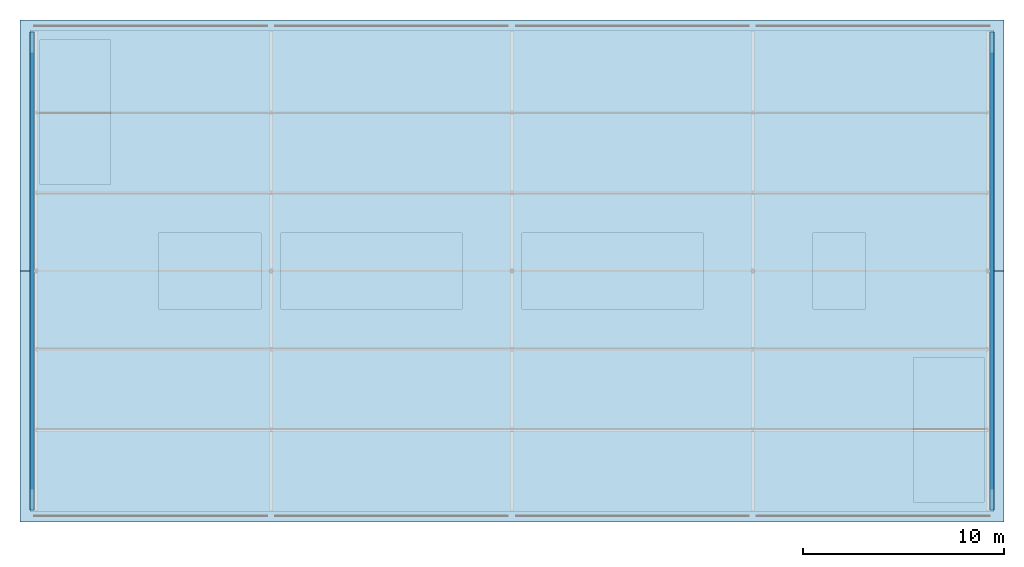
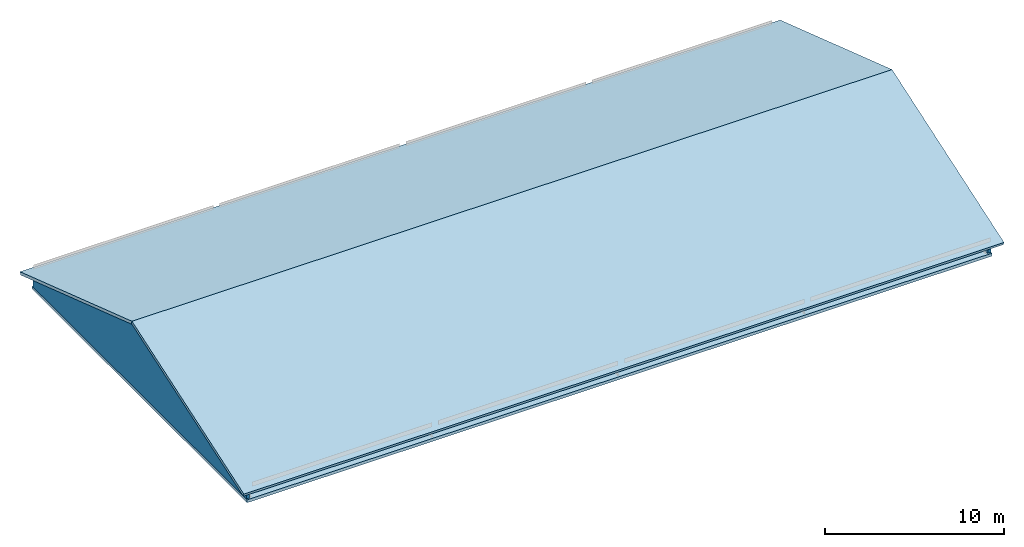
# One storey, part 11 of 12: 3 slabs, 2 walls.
"""IFC4 building model written with IfcOpenShell, lengths in metres."""

from ifc_helpers import new_model, si_unit, direction, frame, origin, place, context, subcontext, project, spatial, polyline, outline, extrude, material, layer, layer_set, type_object, element, save


model = new_model("IFC4")

# Units and contexts
model_context = context("Model", 3, precision=1e-05, world=origin(), true_north=direction((0.0, 1.0)))
body_context = subcontext(model_context, "Body", "Model", "MODEL_VIEW")
ifc_project = project(units=[si_unit("LENGTHUNIT", "METRE"), si_unit("AREAUNIT", "SQUARE_METRE"), si_unit("VOLUMEUNIT", "CUBIC_METRE"), si_unit("PLANEANGLEUNIT", "RADIAN"), si_unit("MASSUNIT", "GRAM", prefix="KILO")], contexts=[model_context])

# Site, building, storey
site_placement = place(None, origin())
site = spatial("IfcSite", under=ifc_project, at=site_placement, CompositionType="ELEMENT")
building_placement = place(site_placement, origin())
building = spatial("IfcBuilding", under=site, at=building_placement, Name="Lilac Gate Convention Centre", CompositionType="ELEMENT")
storey_placement = place(building_placement, frame((0.0, 0.0, 71.39990234375)))
storey = spatial("IfcBuildingStorey", under=building, at=storey_placement, Name="Roof", CompositionType="ELEMENT", Elevation=71.39990234375)

# Slabs
ifc_material_1 = material(Name="Insulated roof panel, steel faces Q235, mineral wool core", Category="steel")
ifc_layer_1 = layer(ifc_material_1, 0.199951171875)
ifc_layer_set_1 = layer_set([ifc_layer_1], Name="Insulated roof panel, steel faces Q235, mineral wool core")
slab_type_1 = type_object("IfcSlabType", Name="Crown roof panel 200", PredefinedType="ROOF", material=ifc_layer_set_1)
slab_1_placement = place(storey_placement, frame((41.5, 221.5, 0.865966796875), z_axis=(0.0, -0.318614987899, 0.947884217342), x_axis=(1.0, 0.0, 0.0)))
element("IfcSlab", 1, at=slab_1_placement, inside=storey, type_object=slab_type_1, Name="Crown roof panel S1", PredefinedType="ROOF", context=body_context, shape_type="SweptSolid", body=[
    extrude(outline(polyline([(0.0, 0.0), (49.0, 0.0), (49.0, 13.187264616614726), (0.0, 13.187264616614726), (0.0, 0.0)])), origin(), (0.0, 0.0, -1.0), 0.199951171875),
])
slab_2_placement = place(storey_placement, frame((41.5, 246.5, 0.865966796875), z_axis=(0.0, 0.318614987899, 0.947884217342), x_axis=(1.0, 0.0, 0.0)))
element("IfcSlab", 2, at=slab_2_placement, inside=storey, type_object=slab_type_1, Name="Crown roof panel N1", PredefinedType="ROOF", context=body_context, shape_type="SweptSolid", body=[
    extrude(outline(polyline([(0.0, 0.0), (49.0, 0.0), (49.0, -13.187264616614726), (0.0, -13.187264616614726), (0.0, 0.0)])), origin(), (0.0, 0.0, -1.0), 0.199951171875),
])
ifc_material_2 = material(Name="Concrete C40", Category="concrete")
ifc_layer_2 = layer(ifc_material_2, 0.199951171875)
ifc_layer_set_2 = layer_set([ifc_layer_2], Name="Concrete C40")
slab_type_2 = type_object("IfcSlabType", Name="Roof slab 200 C40", PredefinedType="ROOF", material=ifc_layer_set_2)
slab_3_placement = place(storey_placement, frame((0.0, 0.0, -0.199951171875)))
element("IfcSlab", 3, at=slab_3_placement, inside=storey, type_object=slab_type_2, Name="RS1 tower roof slab", PredefinedType="ROOF", context=body_context, shape_type="SweptSolid", body=[
    extrude(outline(polyline([(42.0, 222.0), (42.0, 246.0), (90.0, 246.0), (90.0, 222.0), (42.0, 222.0)]), holes=[polyline([(48.39990234375, 235.89990234375), (48.39990234375, 232.10009765625), (50.949951171875, 232.10009765625), (53.5, 232.10009765625), (53.5, 235.89990234375), (50.949951171875, 235.89990234375), (48.39990234375, 235.89990234375)]), polyline([(54.5, 235.89990234375), (54.5, 232.10009765625), (57.5, 232.10009765625), (60.5, 232.10009765625), (63.5, 232.10009765625), (63.5, 235.89990234375), (60.5, 235.89990234375), (57.5, 235.89990234375), (54.5, 235.89990234375)]), polyline([(42.5, 245.5), (42.5, 238.300048828125), (46.0, 238.300048828125), (46.0, 245.5), (42.5, 245.5)]), polyline([(89.5, 229.699951171875), (86.0, 229.699951171875), (86.0, 222.5), (89.5, 222.5), (89.5, 229.699951171875)]), polyline([(69.5, 235.89990234375), (66.5, 235.89990234375), (66.5, 232.10009765625), (69.5, 232.10009765625), (72.5, 232.10009765625), (75.5, 232.10009765625), (75.5, 235.89990234375), (72.5, 235.89990234375), (69.5, 235.89990234375)]), polyline([(83.60009765625, 235.89990234375), (81.0, 235.89990234375), (81.0, 232.10009765625), (83.60009765625, 232.10009765625), (83.60009765625, 235.89990234375)])]), origin(), (0.0, 0.0, 1.0), 0.199951171875),
])

# Walls
ifc_material_3 = material(Name="Insulated sandwich panel, steel faces Q235, mineral wool core", Category="steel")
ifc_layer_3 = layer(ifc_material_3, 0.199951171875)
ifc_layer_set_3 = layer_set([ifc_layer_3], Name="Insulated sandwich panel, steel faces Q235, mineral wool core")
wall_type = type_object("IfcWallType", Name="Crown gable wall 200", PredefinedType="STANDARD", material=ifc_layer_set_3)
for number, where, z_axis, x_axis, name in (
    (4, (42.10009765625, 222.10009765625, 0.0), (0.0, 0.0, 1.0), (0.0, 1.0, 0.0), "Crown gable wall W"),
    (5, (89.89990234375, 222.10009765625, 0.0), (0.0, 0.0, 1.0), (0.0, 1.0, 0.0), "Crown gable wall E"),
):
    element("IfcWall", number, at=place(storey_placement, frame(where, z_axis=z_axis, x_axis=x_axis)), inside=storey, type_object=wall_type, Name=name, PredefinedType="STANDARD", context=body_context, shape_type="SweptSolid", body=[
        extrude(outline(polyline([(0.0, 0.0), (23.7998046875, 0.0), (23.800048828125, 0.861572265625), (11.89990234375, 4.861572265625), (0.0, 0.861572265625), (0.0, 0.0)])), frame((0.0, 0.10009765625, 0.0), z_axis=(0.0, -1.0, 0.0), x_axis=(1.0, 0.0, 0.0)), (0.0, 0.0, 1.0), 0.199951171875),
    ])

save(model, "model.ifc")
